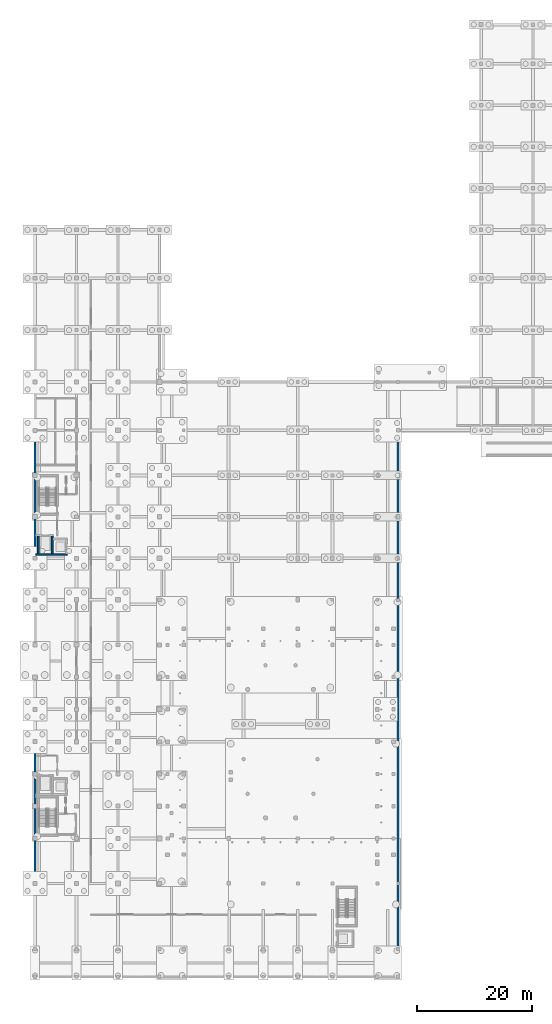
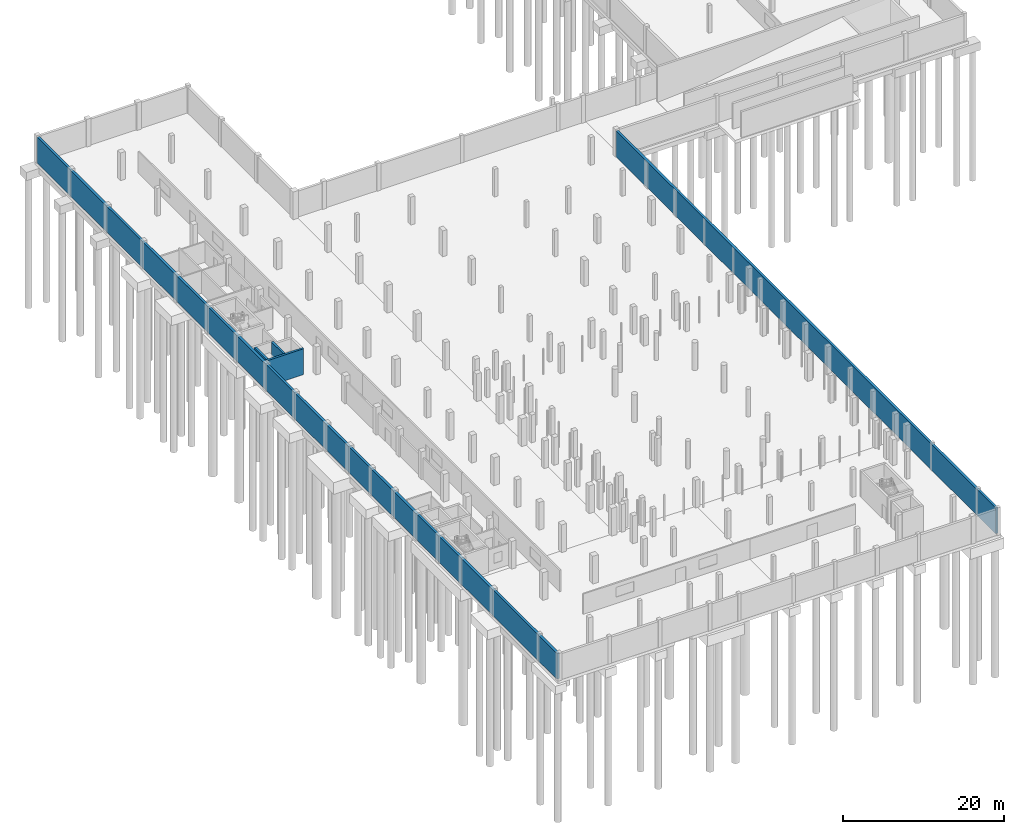
# One storey, part 25 of 34: 5 walls.
"""IFC4 building model written with IfcOpenShell, lengths in metres."""

from ifc_helpers import new_model, si_unit, direction, frame, frame_2d, origin, place, context, subcontext, project, spatial, rectangle, extrude, material, layer, layer_set, type_object, element, save


model = new_model("IFC4")

# Units and contexts
model_context = context("Model", 3, precision=1e-05, world=origin(), true_north=direction((0.0, 1.0)))
body_context = subcontext(model_context, "Body", "Model", "MODEL_VIEW")
ifc_project = project(units=[si_unit("LENGTHUNIT", "METRE"), si_unit("AREAUNIT", "SQUARE_METRE"), si_unit("VOLUMEUNIT", "CUBIC_METRE"), si_unit("PLANEANGLEUNIT", "RADIAN"), si_unit("MASSUNIT", "GRAM", prefix="KILO")], contexts=[model_context])

# Site, building, storey
site_placement = place(None, origin())
site = spatial("IfcSite", under=ifc_project, at=site_placement, CompositionType="ELEMENT")
building_placement = place(site_placement, origin())
building = spatial("IfcBuilding", under=site, at=building_placement, Name="Vinh Khe Railworks Police Headquarters", CompositionType="ELEMENT")
storey_placement = place(building_placement, frame((0.0, 0.0, -4.199951171875)))
storey = spatial("IfcBuildingStorey", under=building, at=storey_placement, Name="B1", CompositionType="ELEMENT", Elevation=-4.199951171875)

# Walls
ifc_material = material(Name="Concrete C40/50 (B40)", Category="concrete")
ifc_layer_1 = layer(ifc_material, 0.35009765625)
ifc_layer_set_1 = layer_set([ifc_layer_1], Name="Concrete C40/50 (B40)")
wall_type_1 = type_object("IfcWallType", Name="Basement Retaining Wall 350", PredefinedType="USERDEFINED", material=ifc_layer_set_1)
wall_1_placement = place(storey_placement, frame((63.60009765625, 1.375, 0.0), z_axis=(0.0, 0.0, 1.0), x_axis=(0.0, 1.0, 0.0)))
element("IfcWall", 1, at=wall_1_placement, inside=storey, type_object=wall_type_1, Name="Basement Retaining Wall 2", ObjectType="RETAININGWALL", PredefinedType="USERDEFINED", context=body_context, shape_type="SweptSolid", body=[
    extrude(rectangle(XDim=94.449951171875, YDim=0.35009765625, at=frame_2d((47.22509765625, 0.0))), origin(), (0.0, 0.0, 1.0), 3.919921875),
])
wall_2_placement = place(storey_placement, frame((0.60009765625, 130.625, 0.0), z_axis=(0.0, 0.0, 1.0), x_axis=(0.0, -1.0, 0.0)))
element("IfcWall", 2, at=wall_2_placement, inside=storey, type_object=wall_type_1, Name="Basement Retaining Wall 10", ObjectType="RETAININGWALL", PredefinedType="USERDEFINED", context=body_context, shape_type="SweptSolid", body=[
    extrude(rectangle(XDim=129.25, YDim=0.35009765625, at=frame_2d((64.625, 0.0))), origin(), (0.0, 0.0, 1.0), 3.919921875),
])
ifc_layer_2 = layer(ifc_material, 0.300048828125)
ifc_layer_set_2 = layer_set([ifc_layer_2], Name="Concrete C40/50 (B40)")
wall_type_2 = type_object("IfcWallType", Name="Core Shear Wall 300", PredefinedType="SHEAR", material=ifc_layer_set_2)
wall_3_placement = place(storey_placement, frame((0.75, 74.449951171875, 0.0), z_axis=(0.0, 0.0, 1.0), x_axis=(1.0, 0.0, 0.0)))
element("IfcWall", 3, at=wall_3_placement, inside=storey, type_object=wall_type_2, Name="Core C2 FL-S Lift Shaft Wall (B1)", PredefinedType="SHEAR", context=body_context, shape_type="SweptSolid", body=[
    extrude(rectangle(XDim=5.449951171875, YDim=0.300048828125, at=frame_2d((2.72509765625, 0.0))), origin(), (0.0, 0.0, 1.0), 3.919921875),
])
for number, where, z_axis, x_axis, name in (
    (4, (1.14990234375, 74.60009765625, 0.0), (0.0, 0.0, 1.0), (0.0, 1.0, 0.0), "Core C2 FL-W Lift Shaft Wall (B1)"),
    (5, (3.60009765625, 74.60009765625, 0.0), (0.0, 0.0, 1.0), (0.0, 1.0, 0.0), "Core C2 LIFT-DIV Lift Shaft Wall (B1)"),
):
    element("IfcWall", number, at=place(storey_placement, frame(where, z_axis=z_axis, x_axis=x_axis)), inside=storey, type_object=wall_type_2, Name=name, PredefinedType="SHEAR", context=body_context, shape_type="SweptSolid", body=[
        extrude(rectangle(XDim=3.0, YDim=0.300048828125, at=frame_2d((1.5, 0.0))), origin(), (0.0, 0.0, 1.0), 3.919921875),
    ])

save(model, "model.ifc")
